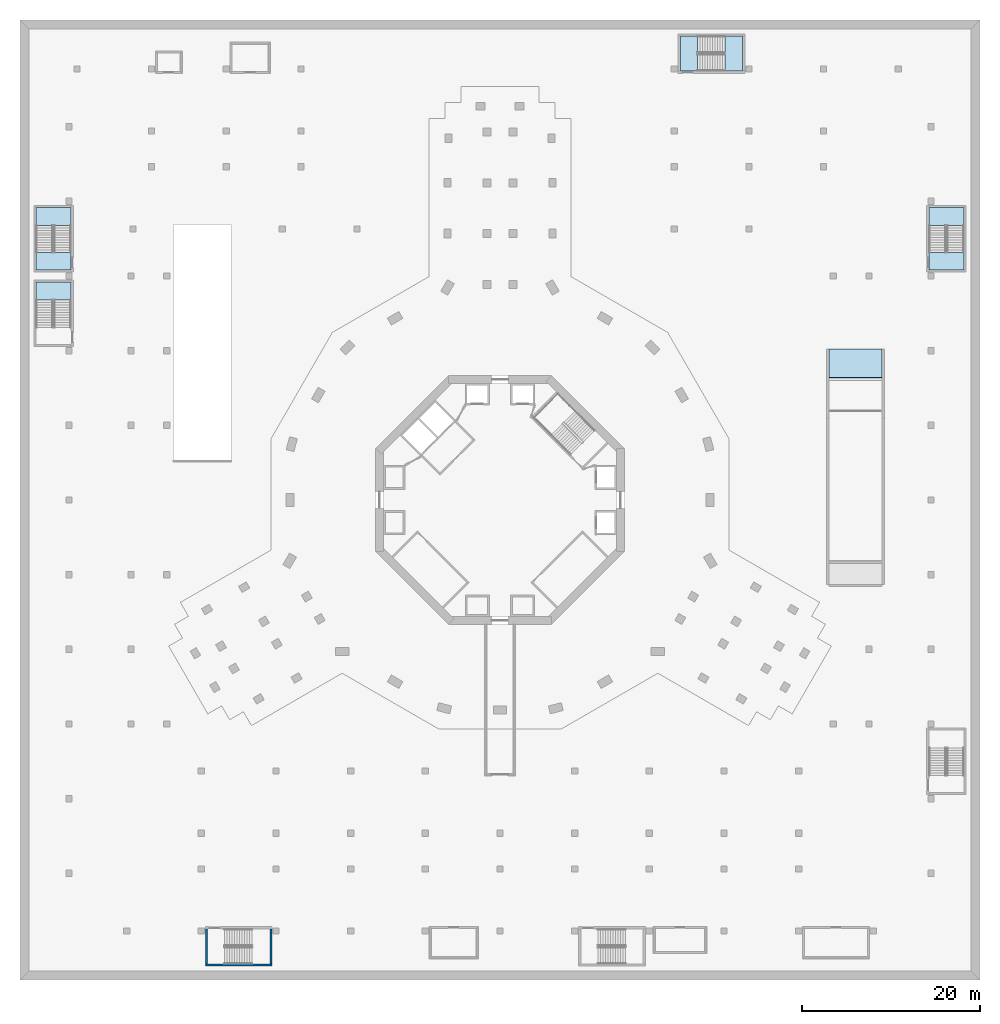
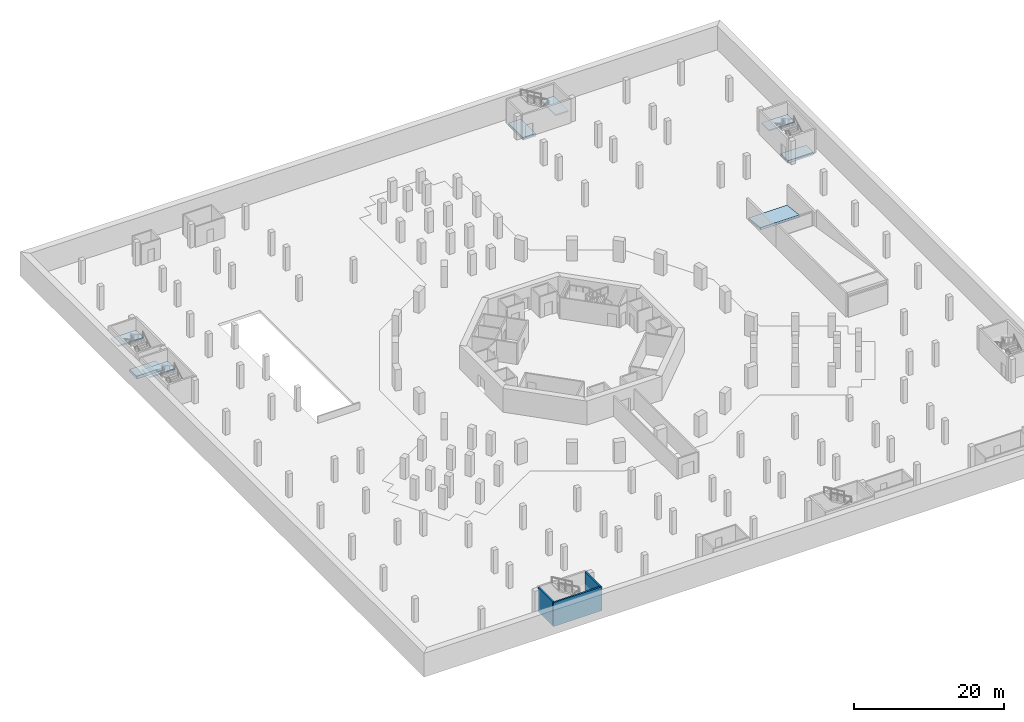
# One storey, part 2 of 25: 8 slabs, 3 walls, 5 elements without a shape of their own.
"""IFC4 building model written with IfcOpenShell, lengths in metres."""

from ifc_helpers import new_model, si_unit, direction, frame, frame_2d, origin, place, context, subcontext, project, spatial, polyline, rectangle, outline, extrude, material, layer, layer_set, type_object, element, aggregate, save


model = new_model("IFC4")

# Units and contexts
model_context = context("Model", 3, precision=1e-05, world=origin(), true_north=direction((0.0, 1.0)))
body_context = subcontext(model_context, "Body", "Model", "MODEL_VIEW")
ifc_project = project(units=[si_unit("LENGTHUNIT", "METRE"), si_unit("AREAUNIT", "SQUARE_METRE"), si_unit("VOLUMEUNIT", "CUBIC_METRE"), si_unit("PLANEANGLEUNIT", "RADIAN"), si_unit("MASSUNIT", "GRAM", prefix="KILO")], contexts=[model_context])

# Site, building, storey
site_placement = place(None, origin())
site = spatial("IfcSite", under=ifc_project, at=site_placement, CompositionType="ELEMENT")
building_placement = place(site_placement, origin())
building = spatial("IfcBuilding", under=site, at=building_placement, Name="Verdalira Terraces Hotel", CompositionType="ELEMENT")
storey_placement = place(building_placement, frame((0.0, 0.0, -3.899902)))
storey = spatial("IfcBuildingStorey", under=building, at=storey_placement, Name="B1", CompositionType="ELEMENT", Elevation=-3.89990234375)

# Stair, slab
ifc_material_1 = material(Name="Concrete C40", Category="concrete")
stair_type = type_object("IfcStairType", Name="Car park stair 24 risers", PredefinedType="HALF_TURN_STAIR", material=ifc_material_1)
stair_1_placement = place(storey_placement, origin())
stair_1 = element("IfcStair", 1, at=stair_1_placement, inside=storey, type_object=stair_type, Name="B1 Exit stair Basement stair 3", PredefinedType="HALF_TURN_STAIR")
ifc_material_2 = material(Name="Concrete C40", Category="concrete")
ifc_layer_1 = layer(ifc_material_2, 0.199951171875)
ifc_layer_set_1 = layer_set([ifc_layer_1], Name="Car park stair landing 200 mm")
slab_type_1 = type_object("IfcSlabType", Name="Car park stair landing 200 mm", PredefinedType="LANDING", material=ifc_layer_set_1)
slab_1_placement = place(storey_placement, frame((0.0, 0.0, 1.75)))
slab_1 = element("IfcSlab", 2, at=slab_1_placement, type_object=slab_type_1, Name="Basement stair 3 landing 1", PredefinedType="LANDING", context=body_context, shape_type="SweptSolid", body=[
    extrude(outline(polyline([(25.304443, 48.25), (27.300049, 48.25), (27.300049, 52.199951), (25.304443, 52.199951), (25.304443, 48.25)])), origin(), (0.0, 0.0, 1.0), 0.199951),
])
aggregate(stair_1, [slab_1])

stair_2_placement = place(storey_placement, origin())
stair_2 = element("IfcStair", 3, at=stair_2_placement, inside=storey, type_object=stair_type, Name="B1 Exit stair Basement stair 4", PredefinedType="HALF_TURN_STAIR")
slab_2_placement = place(storey_placement, frame((0.0, 0.0, 1.75)))
slab_2 = element("IfcSlab", 4, at=slab_2_placement, type_object=slab_type_1, Name="Basement stair 4 landing 1", PredefinedType="LANDING", context=body_context, shape_type="SweptSolid", body=[
    extrude(outline(polyline([(-48.25, 30.904541), (-48.25, 32.899902), (-52.199951, 32.899902), (-52.199951, 30.904541), (-48.25, 30.904541)])), origin(), (0.0, 0.0, 1.0), 0.199951),
])
aggregate(stair_2, [slab_2])

stair_3_placement = place(storey_placement, origin())
stair_3 = element("IfcStair", 5, at=stair_3_placement, inside=storey, type_object=stair_type, Name="B1 Exit stair Basement stair 5", PredefinedType="HALF_TURN_STAIR")
slab_3_placement = place(storey_placement, frame((0.0, 0.0, 1.75)))
slab_3 = element("IfcSlab", 6, at=slab_3_placement, type_object=slab_type_1, Name="Basement stair 5 landing 1", PredefinedType="LANDING", context=body_context, shape_type="SweptSolid", body=[
    extrude(outline(polyline([(52.199951, 30.904541), (52.199951, 32.899902), (48.25, 32.899902), (48.25, 30.904541), (52.199951, 30.904541)])), origin(), (0.0, 0.0, 1.0), 0.199951),
])
aggregate(stair_3, [slab_3])

stair_4_placement = place(storey_placement, origin())
stair_4 = element("IfcStair", 7, at=stair_4_placement, inside=storey, type_object=stair_type, Name="B1 Exit stair Basement stair 7", PredefinedType="HALF_TURN_STAIR")
slab_4_placement = place(storey_placement, frame((0.0, 0.0, 1.75)))
slab_4 = element("IfcSlab", 8, at=slab_4_placement, type_object=slab_type_1, Name="Basement stair 7 landing 1", PredefinedType="LANDING", context=body_context, shape_type="SweptSolid", body=[
    extrude(outline(polyline([(-48.25, 22.504395), (-48.25, 24.5), (-52.199951, 24.5), (-52.199951, 22.504395), (-48.25, 22.504395)])), origin(), (0.0, 0.0, 1.0), 0.199951),
])
aggregate(stair_4, [slab_4])

# Slabs
ifc_material_3 = material(Name="Concrete C40", Category="concrete")
ifc_layer_2 = layer(ifc_material_3, 0.449951171875)
ifc_layer_set_2 = layer_set([ifc_layer_2], Name="Stair enclosure floor slab 450 C40")
slab_type_2 = type_object("IfcSlabType", Name="Stair enclosure floor slab 450 C40", PredefinedType="FLOOR", material=ifc_layer_set_2)
slab_5_placement = place(storey_placement, frame((0.0, 0.0, -0.450195)))
element("IfcSlab", 9, at=slab_5_placement, inside=storey, type_object=slab_type_2, Name="Stair BS3 floor slab", PredefinedType="FLOOR", context=body_context, shape_type="SweptSolid", body=[
    extrude(outline(polyline([(20.300049, 52.199951), (22.225098, 52.199951), (22.225098, 48.25), (20.300049, 48.25), (20.300049, 52.199951)])), origin(), (0.0, 0.0, 1.0), 0.450195),
])
slab_6_placement = place(storey_placement, frame((0.0, 0.0, -0.450195)))
element("IfcSlab", 10, at=slab_6_placement, inside=storey, type_object=slab_type_2, Name="Stair BS4 floor slab", PredefinedType="FLOOR", context=body_context, shape_type="SweptSolid", body=[
    extrude(outline(polyline([(-52.199951, 27.824951), (-48.25, 27.824951), (-48.25, 25.899902), (-52.199951, 25.899902), (-52.199951, 27.824951)])), origin(), (0.0, 0.0, 1.0), 0.450195),
])
slab_7_placement = place(storey_placement, frame((0.0, 0.0, -0.450195)))
element("IfcSlab", 11, at=slab_7_placement, inside=storey, type_object=slab_type_2, Name="Stair BS5 floor slab", PredefinedType="FLOOR", context=body_context, shape_type="SweptSolid", body=[
    extrude(outline(polyline([(48.25, 27.824951), (52.199951, 27.824951), (52.199951, 25.899902), (48.25, 25.899902), (48.25, 27.824951)])), origin(), (0.0, 0.0, 1.0), 0.450195),
])

# Ramp, slab
ifc_material_4 = material(Name="Concrete C40", Category="concrete")
ifc_layer_3 = layer(ifc_material_4, 0.35009765625)
ifc_layer_set_3 = layer_set([ifc_layer_3], Name="Ramp 350 C40")
ramp_type = type_object("IfcRampType", Name="Ramp 350 C40", PredefinedType="STRAIGHT_RUN_RAMP", material=ifc_layer_set_3)
ramp_placement = place(storey_placement, origin())
ramp = element("IfcRamp", 12, at=ramp_placement, inside=storey, type_object=ramp_type, Name="Street ramp", PredefinedType="STRAIGHT_RUN_RAMP")
ifc_material_5 = material(Name="Concrete C40", Category="concrete")
ifc_layer_4 = layer(ifc_material_5, 0.35009765625)
ifc_layer_set_4 = layer_set([ifc_layer_4], Name="Street ramp slab 350 C40")
slab_type_3 = type_object("IfcSlabType", Name="Street ramp slab 350 C40", PredefinedType="FLOOR", material=ifc_layer_set_4)
slab_8_placement = place(storey_placement, frame((43.0, 13.75415, 0.356934), z_axis=(0.0, 0.109307237, 0.994008012), x_axis=(-1.0, 0.0, 0.0)))
slab_8 = element("IfcSlab", 13, at=slab_8_placement, type_object=slab_type_3, Name="Street ramp vehicle ramp slab 3", PredefinedType="FLOOR", context=body_context, shape_type="SweptSolid", body=[
    extrude(outline(polyline([(0.0, 0.0), (6.0, 0.0), (6.0, -3.265416), (0.0, -3.265416), (0.0, 0.0)])), origin(), (0.0, 0.0, -1.0), 0.350098),
])
aggregate(ramp, [slab_8])

# Walls
ifc_material_6 = material(Name="Concrete C40", Category="concrete")
ifc_layer_5 = layer(ifc_material_6, 0.25)
ifc_layer_set_5 = layer_set([ifc_layer_5], Name="Stair enclosure wall 250 C40")
wall_type = type_object("IfcWallType", Name="Stair enclosure wall 250 C40", PredefinedType="SOLIDWALL", material=ifc_layer_set_5)
wall_placement = place(storey_placement, frame((-33.149902, -52.324951, 0.0), z_axis=(0.0, 0.0, 1.0), x_axis=(1.0, 0.0, 0.0)))
element("IfcWall", 14, at=wall_placement, inside=storey, type_object=wall_type, Name="Stair BS1 enclosure wall", PredefinedType="SOLIDWALL", context=body_context, shape_type="SweptSolid", body=[
    extrude(rectangle(XDim=7.5, YDim=0.25, at=frame_2d((3.75, 0.0))), origin(), (0.0, 0.0, 1.0), 3.899902),
])
for number, where, z_axis, x_axis, name in (
    (15, (-33.024902, -52.199951, 0.0), (0.0, 0.0, 1.0), (0.0, 1.0, 0.0), "Stair BS1 enclosure wall"),
    (16, (-25.774902, -52.199951, 0.0), (0.0, 0.0, 1.0), (0.0, 1.0, 0.0), "Stair BS1 enclosure wall"),
):
    element("IfcWall", number, at=place(storey_placement, frame(where, z_axis=z_axis, x_axis=x_axis)), inside=storey, type_object=wall_type, Name=name, PredefinedType="SOLIDWALL", context=body_context, shape_type="SweptSolid", body=[
        extrude(rectangle(XDim=3.949951, YDim=0.25, at=frame_2d((1.975098, 0.0))), origin(), (0.0, 0.0, 1.0), 3.899902),
    ])

save(model, "model.ifc")
